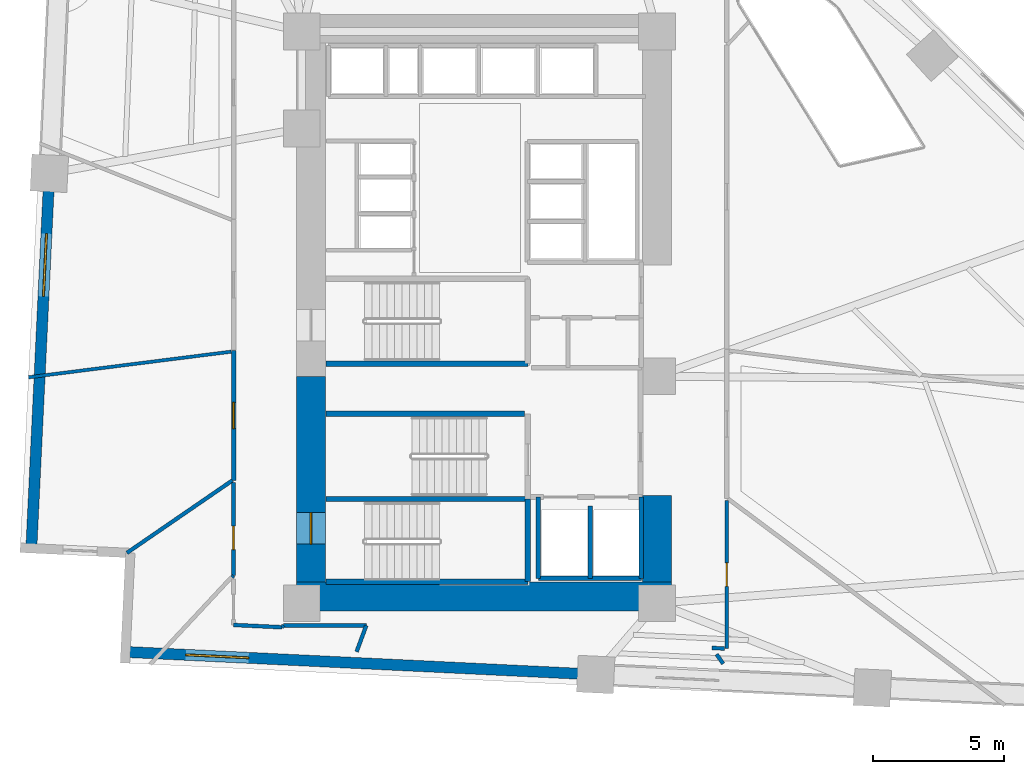
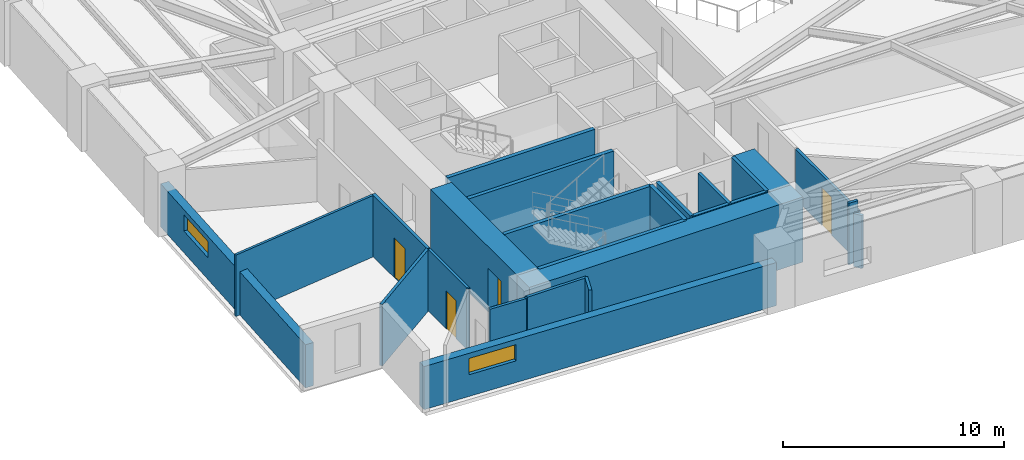
# One storey, part 13 of 17: 26 walls, 4 doors, 2 windows, 6 openings.
"""IFC4 building model written with IfcOpenShell, lengths in metres."""

from ifc_helpers import new_model, si_unit, direction, frame, frame_2d, origin, place, context, subcontext, project, spatial, rectangle, extrude, material, layer, layer_set, type_object, element, fill, save


model = new_model("IFC4")

# Units and contexts
model_context = context("Model", 3, precision=1e-05, world=origin(), true_north=direction((0.0, 1.0)))
body_context = subcontext(model_context, "Body", "Model", "MODEL_VIEW")
ifc_project = project(units=[si_unit("LENGTHUNIT", "METRE"), si_unit("AREAUNIT", "SQUARE_METRE"), si_unit("VOLUMEUNIT", "CUBIC_METRE"), si_unit("PLANEANGLEUNIT", "RADIAN"), si_unit("MASSUNIT", "GRAM", prefix="KILO")], contexts=[model_context])

# Site, building, storey
site_placement = place(None, origin())
site = spatial("IfcSite", under=ifc_project, at=site_placement, CompositionType="ELEMENT")
building_placement = place(site_placement, origin())
building = spatial("IfcBuilding", under=site, at=building_placement, Name="Narakoshi Arena Tower", CompositionType="ELEMENT")
storey_placement = place(building_placement, frame((0.0, 0.0, 51.89990234375)))
storey = spatial("IfcBuildingStorey", under=building, at=storey_placement, Name="L13", CompositionType="ELEMENT", Elevation=51.89990234375)

# Wall, opening, door
ifc_material_1 = material(Name="Concrete C60/75", Category="concrete")
ifc_layer_1 = layer(ifc_material_1, 1.10009765625)
ifc_layer_set_1 = layer_set([ifc_layer_1], Name="Concrete C60/75")
wall_type_1 = type_object("IfcWallType", Name="WL-CORE-1100", PredefinedType="SHEAR", material=ifc_layer_set_1)
wall_1_placement = place(storey_placement, frame((72.35009765625, 35.5, -0.199951171875), z_axis=(0.0, 0.0, 1.0), x_axis=(0.0, 1.0, 0.0)))
wall_1 = element("IfcWall", 1, at=wall_1_placement, inside=storey, type_object=wall_type_1, Name="L13 Central Core Shear Wall CW-APX-W", PredefinedType="SHEAR", context=body_context, shape_type="SweptSolid", body=[
    extrude(rectangle(XDim=7.85009765625, YDim=1.10009765625, at=frame_2d((3.925048828125, 0.0))), origin(), (0.0, 0.0, 1.0), 3.60009765625),
])
opening_1_placement = place(wall_1_placement, frame((1.449951171875, 0.0, 0.199951171875)))
opening_1 = element("IfcOpeningElement", 2, at=opening_1_placement, cuts=wall_1, Name="Opening D-03", PredefinedType="OPENING", context=body_context, shape_type="SweptSolid", body=[
    extrude(rectangle(XDim=1.199951171875, YDim=2.199951171875, at=frame_2d((0.60009765625, 1.10009765625))), frame((0.0, 0.56005859375, 0.0), z_axis=(0.0, -1.0, 0.0), x_axis=(1.0, 0.0, 0.0)), (0.0, 0.0, 1.0), 1.1201171875),
])
ifc_material_2 = material(Name="Painted galvanized steel", Category="steel")
door_type_1 = type_object("IfcDoorType", Name="DR-STR-1200", OperationType="NOTDEFINED", PredefinedType="USERDEFINED", material=ifc_material_2)
door_1_placement = place(opening_1_placement, frame((1.199951171875, 0.0, 0.0), z_axis=(0.0, 0.0, 1.0), x_axis=(-1.0, 0.0, 0.0)))
door_1 = element("IfcDoor", 3, at=door_1_placement, inside=storey, type_object=door_type_1, Name="DR-L13-001", ObjectType="EXITDOOR", OperationType="SINGLE_SWING_LEFT", OverallHeight=2.199951171875, OverallWidth=1.199951171875, PredefinedType="USERDEFINED", context=body_context, shape_type="SweptSolid", body=[
    extrude(rectangle(XDim=1.199951171875, YDim=2.199951171875, at=frame_2d((0.60009765625, 1.10009765625))), frame((0.0, 0.02490234375, 0.0), z_axis=(0.0, -1.0, 0.0), x_axis=(1.0, 0.0, 0.0)), (0.0, 0.0, 1.0), 0.050048828125),
])
fill(opening_1, door_1)

# Walls
wall_2_placement = place(storey_placement, frame((71.800048828125, 34.949951171875, -0.199951171875), z_axis=(0.0, 0.0, 1.0), x_axis=(1.0, 0.0, 0.0)))
element("IfcWall", 4, at=wall_2_placement, inside=storey, type_object=wall_type_1, Name="L13 Central Core Shear Wall CW-APX-S", PredefinedType="SHEAR", context=body_context, shape_type="SweptSolid", body=[
    extrude(rectangle(XDim=14.300048828125, YDim=1.10009765625, at=frame_2d((7.14990234375, 0.0))), origin(), (0.0, 0.0, 1.0), 3.60009765625),
])
wall_3_placement = place(storey_placement, frame((85.550048828125, 35.5, -0.199951171875), z_axis=(0.0, 0.0, 1.0), x_axis=(0.0, 1.0, 0.0)))
element("IfcWall", 5, at=wall_3_placement, inside=storey, type_object=wall_type_1, Name="L13 Central Core Shear Wall CW-APX-E", PredefinedType="SHEAR", context=body_context, shape_type="SweptSolid", body=[
    extrude(rectangle(XDim=3.300048828125, YDim=1.10009765625, at=frame_2d((1.64990234375, 0.0))), origin(), (0.0, 0.0, 1.0), 3.60009765625),
])

# Wall, opening, door
ifc_material_3 = material(Name="Gypsum plasterboard fire-rated partition")
ifc_layer_2 = layer(ifc_material_3, 0.1650390625)
ifc_layer_set_2 = layer_set([ifc_layer_2], Name="Gypsum plasterboard fire-rated partition")
wall_type_2 = type_object("IfcWallType", Name="WL-CORR-165", PredefinedType="PARTITIONING", material=ifc_layer_set_2)
wall_4_placement = place(storey_placement, frame((69.402587890625, 44.33740234375, 0.0), z_axis=(0.0, 0.0, 1.0), x_axis=(0.0, -1.0, 0.0)))
wall_4 = element("IfcWall", 6, at=wall_4_placement, inside=storey, type_object=wall_type_2, Name="L13 Corridor Partition 01-1", PredefinedType="PARTITIONING", context=body_context, shape_type="SweptSolid", body=[
    extrude(rectangle(XDim=4.958251953125, YDim=0.1650390625, at=frame_2d((2.47900390625, 0.0))), origin(), (0.0, 0.0, 1.0), 3.400146484375),
])
opening_2_placement = place(wall_4_placement, frame((1.979248046875, 0.0, 0.0)))
opening_2 = element("IfcOpeningElement", 7, at=opening_2_placement, cuts=wall_4, Name="Opening D-06", PredefinedType="OPENING", context=body_context, shape_type="SweptSolid", body=[
    extrude(rectangle(XDim=1.0, YDim=2.199951171875, at=frame_2d((0.5, 1.10009765625))), frame((0.0, 0.092529296875, 0.0), z_axis=(0.0, -1.0, 0.0), x_axis=(1.0, 0.0, 0.0)), (0.0, 0.0, 1.0), 0.18505859375),
])
ifc_material_4 = material(Name="Stained oak solid-core timber", Category="wood")
door_type_2 = type_object("IfcDoorType", Name="DR-OFF-1000", OperationType="NOTDEFINED", PredefinedType="DOOR", material=ifc_material_4)
door_2_placement = place(opening_2_placement, frame((1.0, 0.0, 0.0), z_axis=(0.0, 0.0, 1.0), x_axis=(-1.0, 0.0, 0.0)))
door_2 = element("IfcDoor", 8, at=door_2_placement, inside=storey, type_object=door_type_2, Name="DR-L13-014", OperationType="SINGLE_SWING_LEFT", OverallHeight=2.199951171875, OverallWidth=1.0, PredefinedType="DOOR", context=body_context, shape_type="SweptSolid", body=[
    extrude(rectangle(XDim=1.0, YDim=2.199951171875, at=frame_2d((0.5, 1.10009765625))), frame((0.0, 0.02490234375, 0.0), z_axis=(0.0, -1.0, 0.0), x_axis=(1.0, 0.0, 0.0)), (0.0, 0.0, 1.0), 0.050048828125),
])
fill(opening_2, door_2)

# Wall
ifc_layer_3 = layer(ifc_material_3, 0.125)
ifc_layer_set_3 = layer_set([ifc_layer_3], Name="Gypsum plasterboard fire-rated partition")
wall_type_3 = type_object("IfcWallType", Name="WL-PART-125", PredefinedType="PARTITIONING", material=ifc_layer_set_3)
wall_5_placement = place(storey_placement, frame((61.578857421875, 43.310791015625, 0.0), z_axis=(0.0, 0.0, 1.0), x_axis=(0.992081396962, 0.125596583563, 0.0)))
element("IfcWall", 9, at=wall_5_placement, inside=storey, type_object=wall_type_3, Name="L13 Inter-Room Partition 01-02", PredefinedType="PARTITIONING", context=body_context, shape_type="SweptSolid", body=[
    extrude(rectangle(XDim=7.791015625, YDim=0.125, at=frame_2d((3.8955078125, 0.0))), origin(), (0.0, 0.0, 1.0), 3.400146484375),
])

# Wall, opening, window
ifc_material_5 = material(Name="Precast concrete C45/55", Category="concrete")
ifc_layer_4 = layer(ifc_material_5, 0.419921875)
ifc_layer_set_4 = layer_set([ifc_layer_4], Name="Precast concrete C45/55")
wall_type_4 = type_object("IfcWallType", Name="WL-POD-420", PredefinedType="SOLIDWALL", material=ifc_layer_set_4)
wall_6_placement = place(storey_placement, frame((65.28076171875, 32.840576171875, 0.0), z_axis=(0.0, 0.0, 1.0), x_axis=(0.998848298084, -0.047979968897, 0.0)))
wall_6 = element("IfcWall", 10, at=wall_6_placement, inside=storey, type_object=wall_type_4, Name="L13 Architectural Concrete Facade Wall LEGA-1", PredefinedType="SOLIDWALL", context=body_context, shape_type="SweptSolid", body=[
    extrude(rectangle(XDim=17.951904296875, YDim=0.419921875, at=frame_2d((8.97607421875, 0.0))), origin(), (0.0, 0.0, 1.0), 2.385009765625),
])
opening_3_placement = place(wall_6_placement, frame((2.300048828125, 0.0, 1.199951171875)))
opening_3 = element("IfcOpeningElement", 11, at=opening_3_placement, cuts=wall_6, Name="Opening WN-01", PredefinedType="OPENING", context=body_context, shape_type="SweptSolid", body=[
    extrude(rectangle(XDim=2.39990234375, YDim=0.89990234375, at=frame_2d((1.199951171875, 0.449951171875))), frame((0.0, 0.219970703125, 0.0), z_axis=(0.0, -1.0, 0.0), x_axis=(1.0, 0.0, 0.0)), (0.0, 0.0, 1.0), 0.43994140625),
])
ifc_material_6 = material(Name="Bronze-tinted low-E laminated glass", Category="glass")
window_type = type_object("IfcWindowType", Name="WIN-SLT-24x09", PartitioningType="SINGLE_PANEL", PredefinedType="WINDOW", material=ifc_material_6)
window_1_placement = place(opening_3_placement, origin())
window_1 = element("IfcWindow", 12, at=window_1_placement, inside=storey, type_object=window_type, Name="L13 LEGA1 Horizontal Slot Window 1", OverallHeight=0.89990234375, OverallWidth=2.39990234375, PartitioningType="SINGLE_PANEL", PredefinedType="WINDOW", context=body_context, shape_type="SweptSolid", body=[
    extrude(rectangle(XDim=2.39990234375, YDim=0.89990234375, at=frame_2d((1.199951171875, 0.449951171875))), frame((0.0, 0.030029296875, 0.0), z_axis=(0.0, -1.0, 0.0), x_axis=(1.0, 0.0, 0.0)), (0.0, 0.0, 1.0), 0.06005859375),
])
fill(opening_3, window_1)

wall_7_placement = place(storey_placement, frame((62.3779296875, 51.08984375, 0.0), z_axis=(0.0, 0.0, 1.0), x_axis=(-0.047978424452, -0.99884837227, 0.0)))
wall_7 = element("IfcWall", 13, at=wall_7_placement, inside=storey, type_object=wall_type_4, Name="L13 Architectural Concrete Facade Wall LEGB-3", PredefinedType="SOLIDWALL", context=body_context, shape_type="SweptSolid", body=[
    extrude(rectangle(XDim=14.314208984375, YDim=0.419921875, at=frame_2d((7.1572265625, 0.0))), origin(), (0.0, 0.0, 1.0), 2.385009765625),
])
opening_4_placement = place(wall_7_placement, frame((2.300048828125, 0.0, 1.199951171875)))
opening_4 = element("IfcOpeningElement", 14, at=opening_4_placement, cuts=wall_7, Name="Opening WN-01", PredefinedType="OPENING", context=body_context, shape_type="SweptSolid", body=[
    extrude(rectangle(XDim=2.39990234375, YDim=0.89990234375, at=frame_2d((1.199951171875, 0.449951171875))), frame((0.0, 0.219970703125, 0.0), z_axis=(0.0, -1.0, 0.0), x_axis=(1.0, 0.0, 0.0)), (0.0, 0.0, 1.0), 0.43994140625),
])
window_2_placement = place(opening_4_placement, origin())
window_2 = element("IfcWindow", 15, at=window_2_placement, inside=storey, type_object=window_type, Name="L13 LEGB3 Horizontal Slot Window 1", OverallHeight=0.89990234375, OverallWidth=2.39990234375, PartitioningType="SINGLE_PANEL", PredefinedType="WINDOW", context=body_context, shape_type="SweptSolid", body=[
    extrude(rectangle(XDim=2.39990234375, YDim=0.89990234375, at=frame_2d((1.199951171875, 0.449951171875))), frame((0.0, 0.030029296875, 0.0), z_axis=(0.0, -1.0, 0.0), x_axis=(1.0, 0.0, 0.0)), (0.0, 0.0, 1.0), 0.06005859375),
])
fill(opening_4, window_2)

# Walls
ifc_material_7 = material(Name="Concrete C40/50", Category="concrete")
ifc_layer_5 = layer(ifc_material_7, 0.280029296875)
ifc_layer_set_5 = layer_set([ifc_layer_5], Name="Concrete C40/50")
wall_type_5 = type_object("IfcWallType", Name="WL-RISER-280", PredefinedType="PLUMBINGWALL", material=ifc_layer_set_5)
wall_8_placement = place(storey_placement, frame((83.0, 35.64990234375, 0.0), z_axis=(0.0, 0.0, 1.0), x_axis=(0.0, 1.0, 0.0)))
element("IfcWall", 16, at=wall_8_placement, inside=storey, type_object=wall_type_5, Name="L13 Core Wall FF-DIV", PredefinedType="PLUMBINGWALL", context=body_context, shape_type="SweptSolid", body=[
    extrude(rectangle(XDim=2.75, YDim=0.159912109375, at=frame_2d((1.375, 0.0))), origin(), (0.0, 0.0, 1.0), 3.400146484375),
])
ifc_material_8 = material(Name="Concrete C50/60", Category="concrete")
ifc_layer_6 = layer(ifc_material_8, 0.35009765625)
ifc_layer_set_6 = layer_set([ifc_layer_6], Name="Concrete C50/60")
wall_type_6 = type_object("IfcWallType", Name="WL-SHAFT-350", PredefinedType="SOLIDWALL", material=ifc_layer_set_6)
for number, where, z_axis, x_axis, name in (
    (17, (72.919921875, 35.52001953125, -0.199951171875), (0.0, 0.0, 1.0), (1.0, 0.0, 0.0), "L13 Core Wall ST1-S"),
    (18, (72.919921875, 38.675048828125, -0.199951171875), (0.0, 0.0, 1.0), (1.0, 0.0, 0.0), "L13 Core Wall ST12-DIV"),
):
    element("IfcWall", number, at=place(storey_placement, frame(where, z_axis=z_axis, x_axis=x_axis)), inside=storey, type_object=wall_type_6, Name=name, PredefinedType="SOLIDWALL", context=body_context, shape_type="SweptSolid", body=[
        extrude(rectangle(XDim=7.7001953125, YDim=0.199951171875, at=frame_2d((3.85009765625, 0.0))), origin(), (0.0, 0.0, 1.0), 3.60009765625),
    ])
wall_9_placement = place(storey_placement, frame((80.6201171875, 35.52001953125, -0.199951171875), z_axis=(0.0, 0.0, 1.0), x_axis=(0.0, 1.0, 0.0)))
element("IfcWall", 19, at=wall_9_placement, inside=storey, type_object=wall_type_6, Name="L13 Core Wall ST1-E", PredefinedType="SOLIDWALL", context=body_context, shape_type="SweptSolid", body=[
    extrude(rectangle(XDim=3.155029296875, YDim=0.199951171875, at=frame_2d((1.57763671875, 0.0))), origin(), (0.0, 0.0, 1.0), 3.60009765625),
])
for number, where, z_axis, x_axis, name in (
    (20, (84.949951171875, 35.64990234375, 0.0), (0.0, 0.0, 1.0), (0.0, 1.0, 0.0), "L13 Core Wall FF-E"),
    (21, (81.02001953125, 35.64990234375, 0.0), (0.0, 0.0, 1.0), (0.0, 1.0, 0.0), "L13 Core Wall FF-W"),
):
    element("IfcWall", number, at=place(storey_placement, frame(where, z_axis=z_axis, x_axis=x_axis)), inside=storey, type_object=wall_type_6, Name=name, PredefinedType="SOLIDWALL", context=body_context, shape_type="SweptSolid", body=[
        extrude(rectangle(XDim=3.10009765625, YDim=0.179931640625, at=frame_2d((1.550048828125, 0.0))), origin(), (0.0, 0.0, 1.0), 3.400146484375),
    ])
wall_10_placement = place(storey_placement, frame((81.02001953125, 35.64990234375, 0.0), z_axis=(0.0, 0.0, 1.0), x_axis=(1.0, 0.0, 0.0)))
element("IfcWall", 22, at=wall_10_placement, inside=storey, type_object=wall_type_6, Name="L13 Core Wall FF-S", PredefinedType="SOLIDWALL", context=body_context, shape_type="SweptSolid", body=[
    extrude(rectangle(XDim=3.929931640625, YDim=0.179931640625, at=frame_2d((1.96484375, 0.0))), origin(), (0.0, 0.0, 1.0), 3.400146484375),
])
wall_11_placement = place(storey_placement, frame((72.919921875, 41.919921875, -0.199951171875), z_axis=(0.0, 0.0, 1.0), x_axis=(1.0, 0.0, 0.0)))
element("IfcWall", 23, at=wall_11_placement, inside=storey, type_object=wall_type_6, Name="L13 Core Wall ST2-N", PredefinedType="SOLIDWALL", context=body_context, shape_type="SweptSolid", body=[
    extrude(rectangle(XDim=7.580078125, YDim=0.199951171875, at=frame_2d((3.7900390625, 0.0))), origin(), (0.0, 0.0, 1.0), 3.60009765625),
])
wall_12_placement = place(storey_placement, frame((72.919921875, 43.830078125, -0.199951171875), z_axis=(0.0, 0.0, 1.0), x_axis=(1.0, 0.0, 0.0)))
element("IfcWall", 24, at=wall_12_placement, inside=storey, type_object=wall_type_6, Name="L13 Core Wall ST3-S", PredefinedType="SOLIDWALL", context=body_context, shape_type="SweptSolid", body=[
    extrude(rectangle(XDim=7.7001953125, YDim=0.199951171875, at=frame_2d((3.85009765625, 0.0))), origin(), (0.0, 0.0, 1.0), 3.60009765625),
])
ifc_material_9 = material(Name="Moisture-resistant cement-board partition")
ifc_layer_7 = layer(ifc_material_9, 0.14501953125)
ifc_layer_set_7 = layer_set([ifc_layer_7], Name="Moisture-resistant cement-board partition")
wall_type_7 = type_object("IfcWallType", Name="WL-WET-145", PredefinedType="PARTITIONING", material=ifc_layer_set_7)
wall_13_placement = place(storey_placement, frame((69.357177734375, 39.379150390625, 0.0), z_axis=(0.0, 0.0, 1.0), x_axis=(-0.824310498122, -0.566137971422, 0.0)))
element("IfcWall", 25, at=wall_13_placement, inside=storey, type_object=wall_type_7, Name="L13 Inter-Room Partition 01-03", PredefinedType="PARTITIONING", context=body_context, shape_type="SweptSolid", body=[
    extrude(rectangle(XDim=4.878662109375, YDim=0.14501953125, at=frame_2d((2.439453125, 0.0))), origin(), (0.0, 0.0, 1.0), 3.400146484375),
])

# Wall, opening, door
wall_14_placement = place(storey_placement, frame((69.402587890625, 39.307861328125, 0.0), z_axis=(0.0, 0.0, 1.0), x_axis=(0.0, -1.0, 0.0)))
wall_14 = element("IfcWall", 26, at=wall_14_placement, inside=storey, type_object=wall_type_7, Name="L13 Corridor Partition 03-1", PredefinedType="PARTITIONING", context=body_context, shape_type="SweptSolid", body=[
    extrude(rectangle(XDim=3.557861328125, YDim=0.14501953125, at=frame_2d((1.77880859375, 0.0))), origin(), (0.0, 0.0, 1.0), 3.400146484375),
])
opening_5_placement = place(wall_14_placement, frame((1.66748046875, 0.0, 0.0)))
opening_5 = element("IfcOpeningElement", 27, at=opening_5_placement, cuts=wall_14, Name="Opening D-08", PredefinedType="OPENING", context=body_context, shape_type="SweptSolid", body=[
    extrude(rectangle(XDim=0.89990234375, YDim=2.10009765625, at=frame_2d((0.449951171875, 1.050048828125))), frame((0.0, 0.08251953125, 0.0), z_axis=(0.0, -1.0, 0.0), x_axis=(1.0, 0.0, 0.0)), (0.0, 0.0, 1.0), 0.1650390625),
])
ifc_material_10 = material(Name="Moisture-resistant laminate timber", Category="wood")
door_type_3 = type_object("IfcDoorType", Name="DR-WC-900", OperationType="NOTDEFINED", PredefinedType="DOOR", material=ifc_material_10)
door_3_placement = place(opening_5_placement, frame((0.89990234375, 0.0, 0.0), z_axis=(0.0, 0.0, 1.0), x_axis=(-1.0, 0.0, 0.0)))
door_3 = element("IfcDoor", 28, at=door_3_placement, inside=storey, type_object=door_type_3, Name="DR-L13-016", OperationType="SINGLE_SWING_RIGHT", OverallHeight=2.10009765625, OverallWidth=0.89990234375, PredefinedType="DOOR", context=body_context, shape_type="SweptSolid", body=[
    extrude(rectangle(XDim=0.89990234375, YDim=2.10009765625, at=frame_2d((0.449951171875, 1.050048828125))), frame((0.0, 0.02490234375, 0.0), z_axis=(0.0, -1.0, 0.0), x_axis=(1.0, 0.0, 0.0)), (0.0, 0.0, 1.0), 0.050048828125),
])
fill(opening_5, door_3)

# Walls
wall_15_placement = place(storey_placement, frame((69.402587890625, 35.75, 0.0), z_axis=(0.0, 0.0, 1.0), x_axis=(-0.690075333573, -0.723737544967, 0.0)))
element("IfcWall", 29, at=wall_15_placement, inside=storey, type_object=wall_type_7, Name="L13 Corridor Partition 03-2", PredefinedType="PARTITIONING", context=body_context, shape_type="SweptSolid", body=[
    extrude(rectangle(XDim=0.0869140625, YDim=0.14501953125, at=frame_2d((0.04345703125, 0.0))), origin(), (0.0, 0.0, 1.0), 3.400146484375),
])
wall_16_placement = place(storey_placement, frame((69.402587890625, 33.868896484375, 0.0), z_axis=(0.0, 0.0, 1.0), x_axis=(0.998851351877, -0.04791635268, 0.0)))
element("IfcWall", 30, at=wall_16_placement, inside=storey, type_object=wall_type_7, Name="L13 Corridor Partition 04-1", PredefinedType="PARTITIONING", context=body_context, shape_type="SweptSolid", body=[
    extrude(rectangle(XDim=1.849609375, YDim=0.14501953125, at=frame_2d((0.9248046875, 0.0))), origin(), (0.0, 0.0, 1.0), 3.400146484375),
])
wall_17_placement = place(storey_placement, frame((71.25, 33.7802734375, 0.0), z_axis=(0.0, 0.0, 1.0), x_axis=(0.652100218984, 0.758132774916, 0.0)))
element("IfcWall", 31, at=wall_17_placement, inside=storey, type_object=wall_type_7, Name="L13 Corridor Partition 04-3", PredefinedType="PARTITIONING", context=body_context, shape_type="SweptSolid", body=[
    extrude(rectangle(XDim=0.092041015625, YDim=0.14501953125, at=frame_2d((0.0458984375, 0.0))), origin(), (0.0, 0.0, 1.0), 3.400146484375),
])

# Wall, opening, door
wall_18_placement = place(storey_placement, frame((88.20947265625, 32.965576171875, 0.0), z_axis=(0.0, 0.0, 1.0), x_axis=(0.0, 1.0, 0.0)))
wall_18 = element("IfcWall", 32, at=wall_18_placement, inside=storey, type_object=wall_type_7, Name="L13 Corridor Partition 06-1", PredefinedType="PARTITIONING", context=body_context, shape_type="SweptSolid", body=[
    extrude(rectangle(XDim=5.643798828125, YDim=0.14501953125, at=frame_2d((2.82177734375, 0.0))), origin(), (0.0, 0.0, 1.0), 2.78515625),
])
opening_6_placement = place(wall_18_placement, frame((2.371826171875, 0.0, 0.0)))
opening_6 = element("IfcOpeningElement", 33, at=opening_6_placement, cuts=wall_18, Name="Opening D-08", PredefinedType="OPENING", context=body_context, shape_type="SweptSolid", body=[
    extrude(rectangle(XDim=0.89990234375, YDim=2.10009765625, at=frame_2d((0.449951171875, 1.050048828125))), frame((0.0, 0.08251953125, 0.0), z_axis=(0.0, -1.0, 0.0), x_axis=(1.0, 0.0, 0.0)), (0.0, 0.0, 1.0), 0.1650390625),
])
door_4_placement = place(opening_6_placement, frame((0.89990234375, 0.0, 0.0), z_axis=(0.0, 0.0, 1.0), x_axis=(-1.0, 0.0, 0.0)))
door_4 = element("IfcDoor", 34, at=door_4_placement, inside=storey, type_object=door_type_3, Name="DR-L13-019", OperationType="SINGLE_SWING_LEFT", OverallHeight=2.10009765625, OverallWidth=0.89990234375, PredefinedType="DOOR", context=body_context, shape_type="SweptSolid", body=[
    extrude(rectangle(XDim=0.89990234375, YDim=2.10009765625, at=frame_2d((0.449951171875, 1.050048828125))), frame((0.0, 0.02490234375, 0.0), z_axis=(0.0, -1.0, 0.0), x_axis=(1.0, 0.0, 0.0)), (0.0, 0.0, 1.0), 0.050048828125),
])
fill(opening_6, door_4)

# Walls
wall_19_placement = place(storey_placement, frame((87.649658203125, 32.992431640625, 0.0), z_axis=(0.0, 0.0, 1.0), x_axis=(0.998836583027, -0.048223235133, 0.0)))
element("IfcWall", 35, at=wall_19_placement, inside=storey, type_object=wall_type_7, Name="L13 Corridor Partition 06-2", PredefinedType="PARTITIONING", context=body_context, shape_type="SweptSolid", body=[
    extrude(rectangle(XDim=0.475830078125, YDim=0.14501953125, at=frame_2d((0.23779296875, 0.0))), origin(), (0.0, 0.0, 1.0), 3.400146484375),
])
wall_20_placement = place(storey_placement, frame((71.31005859375, 33.85009765625, 0.0), z_axis=(0.0, 0.0, 1.0), x_axis=(1.0, 0.0, 0.0)))
element("IfcWall", 36, at=wall_20_placement, inside=storey, type_object=wall_type_7, Name="L13 Room Enclosure Partition 04-1", PredefinedType="PARTITIONING", context=body_context, shape_type="SweptSolid", body=[
    extrude(rectangle(XDim=3.15234375, YDim=0.14501953125, at=frame_2d((1.576171875, 0.0))), origin(), (0.0, 0.0, 1.0), 3.400146484375),
])
wall_21_placement = place(storey_placement, frame((74.46240234375, 33.85009765625, 0.0), z_axis=(0.0, 0.0, 1.0), x_axis=(-0.345355803619, -0.938471826379, 0.0)))
element("IfcWall", 37, at=wall_21_placement, inside=storey, type_object=wall_type_7, Name="L13 Room Enclosure Partition 04-2", PredefinedType="PARTITIONING", context=body_context, shape_type="SweptSolid", body=[
    extrude(rectangle(XDim=1.068115234375, YDim=0.14501953125, at=frame_2d((0.5341796875, 0.0))), origin(), (0.0, 0.0, 1.0), 3.400146484375),
])
wall_22_placement = place(storey_placement, frame((88.07080078125, 32.3916015625, 0.0), z_axis=(0.0, 0.0, 1.0), x_axis=(-0.57428210862, 0.81865747399, 0.0)))
element("IfcWall", 38, at=wall_22_placement, inside=storey, type_object=wall_type_7, Name="L13 Room Enclosure Partition 06-1", PredefinedType="PARTITIONING", context=body_context, shape_type="SweptSolid", body=[
    extrude(rectangle(XDim=0.439697265625, YDim=0.14501953125, at=frame_2d((0.2197265625, 0.0))), origin(), (0.0, 0.0, 1.0), 2.93505859375),
])

save(model, "model.ifc")
